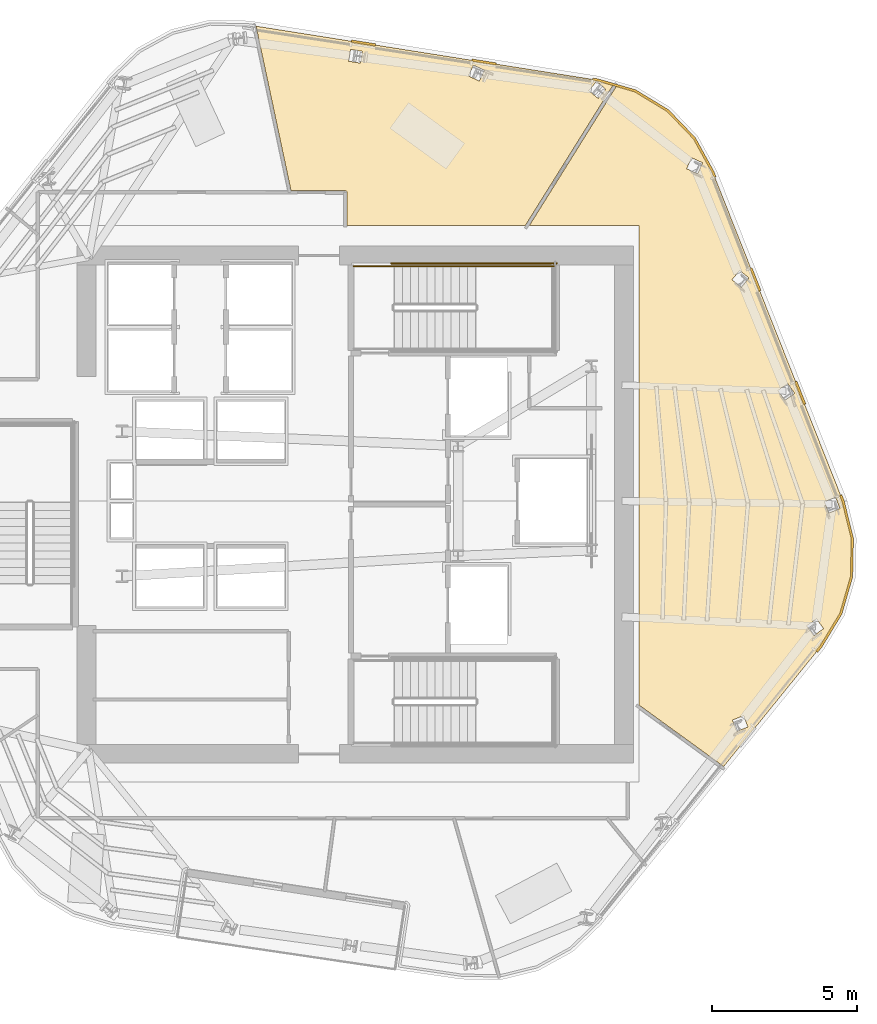
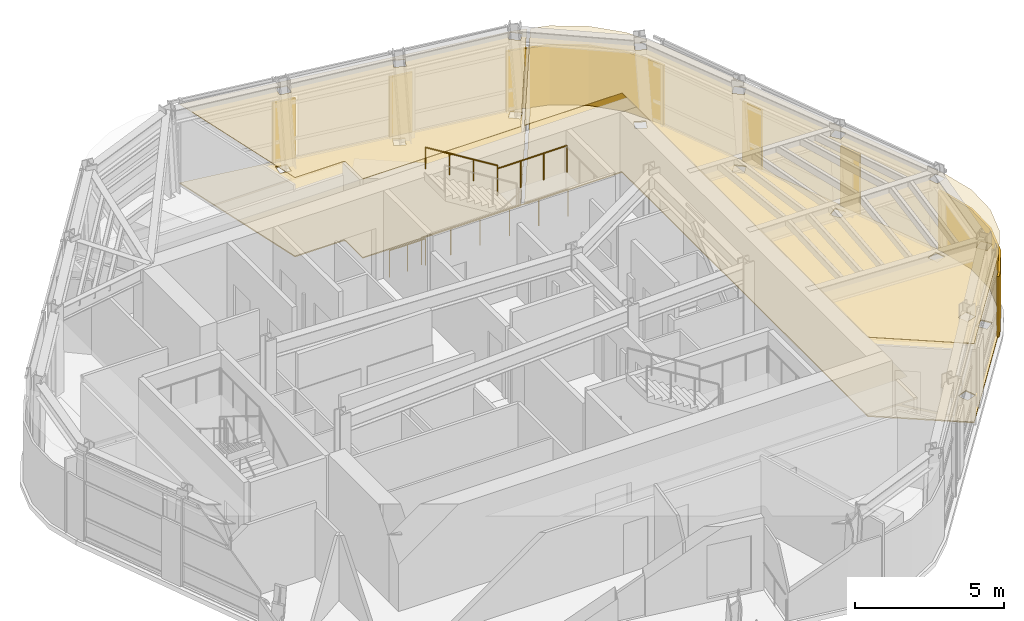
# One storey, part 11 of 12: 10 coverings, 4 railings.
"""IFC4 building model written with IfcOpenShell, lengths in metres."""

from ifc_helpers import new_model, si_unit, direction, frame, origin, origin_2d, place, context, subcontext, project, spatial, polyline, circle, outline, extrude, material, layer, layer_set, type_object, element, save


model = new_model("IFC4")

# Units and contexts
model_context = context("Model", 3, precision=1e-05, world=origin(), true_north=direction((0.0, 1.0)))
body_context = subcontext(model_context, "Body", "Model", "MODEL_VIEW")
ifc_project = project(units=[si_unit("LENGTHUNIT", "METRE"), si_unit("AREAUNIT", "SQUARE_METRE"), si_unit("VOLUMEUNIT", "CUBIC_METRE"), si_unit("PLANEANGLEUNIT", "RADIAN"), si_unit("MASSUNIT", "GRAM", prefix="KILO")], contexts=[model_context])

# Site, building, storey
site_placement = place(None, origin())
site = spatial("IfcSite", under=ifc_project, at=site_placement, CompositionType="ELEMENT")
building_placement = place(site_placement, origin())
building = spatial("IfcBuilding", under=site, at=building_placement, Name="Valkerne Bourse Tower", CompositionType="ELEMENT")
storey_placement = place(building_placement, frame((0.0, 0.0, 243.60009765625)))
storey = spatial("IfcBuildingStorey", under=building, at=storey_placement, Name="L62", CompositionType="ELEMENT", Elevation=243.60009765625)

# Coverings
ifc_material_1 = material(Name="Mineral Fiber Acoustic Ceiling Tile", Category="acoustic")
ifc_layer_1 = layer(ifc_material_1, 0.02490234375)
ifc_layer_set_1 = layer_set([ifc_layer_1], Name="Mineral Fiber Acoustic Ceiling Tile")
covering_type_1 = type_object("IfcCoveringType", Name="COV-CEIL-ACT", PredefinedType="CEILING", material=ifc_layer_set_1)
covering_1_placement = place(storey_placement, frame((0.0, 0.0, 3.25)))
element("IfcCovering", 1, at=covering_1_placement, inside=storey, type_object=covering_type_1, Name="L62 Suspended Ceiling 10", PredefinedType="CEILING", context=body_context, shape_type="SweptSolid", body=[
    extrude(outline(polyline([(52.666748046875, 36.5), (46.51904296875, 36.5), (46.51904296875, 37.640380859375), (46.51220703125, 37.670166015625), (46.49072265625, 37.69580078125), (46.45068359375, 37.708984375), (44.583984375, 37.708984375), (43.3779296875, 43.383056640625), (55.18017578125, 41.51708984375), (55.706298828125, 41.3642578125), (52.666748046875, 36.5)]), holes=[polyline([(55.1259765625, 41.47216796875), (55.123779296875, 41.473388671875), (54.86181640625, 41.155517578125), (55.1806640625, 40.892333984375), (55.1826171875, 40.89111328125), (55.44482421875, 41.208740234375), (55.1259765625, 41.47216796875)]), polyline([(50.881591796875, 42.03662109375), (50.87939453125, 42.037109375), (50.706298828125, 41.663330078125), (51.081787109375, 41.489501953125), (51.083740234375, 41.48876953125), (51.256591796875, 41.862548828125), (50.881591796875, 42.03662109375)]), polyline([(47.047607421875, 42.514404296875), (46.63916015625, 42.57958984375), (46.636962890625, 42.57958984375), (46.572265625, 42.1728515625), (46.980712890625, 42.107666015625), (46.98291015625, 42.107666015625), (47.047607421875, 42.514404296875)])]), origin(), (0.0, 0.0, 1.0), 0.02490234375),
])
covering_2_placement = place(storey_placement, frame((0.0, 0.0, 3.25)))
element("IfcCovering", 2, at=covering_2_placement, inside=storey, type_object=covering_type_1, Name="L62 Suspended Ceiling 12", PredefinedType="CEILING", context=body_context, shape_type="SweptSolid", body=[
    extrude(outline(polyline([(58.498779296875, 39.51025390625), (59.139404296875, 38.34521484375), (63.631591796875, 26.98974609375), (63.948486328125, 25.699462890625), (63.9208984375, 24.380126953125), (63.552978515625, 23.113037109375), (62.864501953125, 21.976318359375), (59.513671875, 17.8359375), (56.60009765625, 19.952880859375), (56.60009765625, 36.5), (52.805908203125, 36.5), (55.823974609375, 41.330078125), (56.456787109375, 41.146240234375), (57.585693359375, 40.462646484375), (58.498779296875, 39.51025390625)]), holes=[polyline([(60.35009765625, 19.200439453125), (60.20166015625, 19.587158203125), (59.8173828125, 19.4404296875), (59.816162109375, 19.438720703125), (59.964599609375, 19.052001953125), (60.348876953125, 19.198486328125), (60.35009765625, 19.200439453125)]), polyline([(62.960205078125, 22.594482421875), (62.71875, 22.930908203125), (62.38427734375, 22.69189453125), (62.383544921875, 22.689453125), (62.625, 22.35302734375), (62.959716796875, 22.59228515625), (62.960205078125, 22.594482421875)]), polyline([(63.52490234375, 26.735595703125), (63.52490234375, 26.738037109375), (63.380859375, 27.123046875), (62.99267578125, 26.978271484375), (62.99267578125, 26.975830078125), (63.13671875, 26.591064453125), (63.52490234375, 26.735595703125)]), polyline([(61.96337890625, 30.71240234375), (61.7265625, 31.04833984375), (61.3876953125, 30.81005859375), (61.38818359375, 30.807861328125), (61.625244140625, 30.4716796875), (61.964111328125, 30.710205078125), (61.96337890625, 30.71240234375)]), polyline([(60.3828125, 34.695556640625), (60.063232421875, 34.95458984375), (59.802001953125, 34.633056640625), (59.802978515625, 34.631103515625), (60.12255859375, 34.372314453125), (60.3837890625, 34.693603515625), (60.3828125, 34.695556640625)]), polyline([(58.7822265625, 38.67138671875), (58.40771484375, 38.8408203125), (58.236328125, 38.46337890625), (58.238037109375, 38.4619140625), (58.612548828125, 38.29248046875), (58.783935546875, 38.66943359375), (58.7822265625, 38.67138671875)])]), origin(), (0.0, 0.0, 1.0), 0.02490234375),
])
ifc_material_2 = material(Name="Bronze Anodised Aluminium AA 6063-T6", Category="aluminium")
ifc_layer_2 = layer(ifc_material_2, 0.06005859375)
ifc_layer_set_2 = layer_set([ifc_layer_2], Name="Bronze Anodised Aluminium AA 6063-T6")
covering_type_2 = type_object("IfcCoveringType", Name="COV-CRN-ALUM", PredefinedType="CLADDING", material=ifc_layer_set_2)
covering_3_placement = place(storey_placement, origin())
element("IfcCovering", 3, at=covering_3_placement, inside=storey, type_object=covering_type_2, Name="L62 Wind-Shaped Corner Aluminium Cladding 08", PredefinedType="CLADDING", context=body_context, shape_type="SweptSolid", body=[
    extrude(outline(polyline([(47.50830078125, 42.774658203125), (47.49609375, 42.695556640625), (46.66650390625, 42.82666015625), (46.6787109375, 42.90576171875), (47.50830078125, 42.774658203125)])), origin(), (0.0, 0.0, 1.0), 2.5),
])
covering_4_placement = place(storey_placement, origin())
element("IfcCovering", 4, at=covering_4_placement, inside=storey, type_object=covering_type_2, Name="L62 Wind-Shaped Corner Aluminium Cladding 09", PredefinedType="CLADDING", context=body_context, shape_type="SweptSolid", body=[
    extrude(outline(polyline([(51.668701171875, 42.116943359375), (51.656494140625, 42.037841796875), (50.826904296875, 42.1689453125), (50.8388671875, 42.248046875), (51.668701171875, 42.116943359375)])), origin(), (0.0, 0.0, 1.0), 2.5),
])
covering_5_placement = place(storey_placement, origin())
element("IfcCovering", 5, at=covering_5_placement, inside=storey, type_object=covering_type_2, Name="L62 Wind-Shaped Corner Aluminium Cladding 10", PredefinedType="CLADDING", context=body_context, shape_type="SweptSolid", body=[
    extrude(outline(polyline([(55.18994140625, 41.560302734375), (56.474853515625, 41.186767578125), (57.61328125, 40.497314453125), (58.53466796875, 39.53662109375), (59.17919921875, 38.364013671875), (59.250244140625, 38.1845703125), (59.17578125, 38.155517578125), (59.106689453125, 38.329833984375), (58.4697265625, 39.48876953125), (57.56298828125, 40.434326171875), (56.4423828125, 41.113037109375), (55.17236328125, 41.48193359375), (54.9873046875, 41.51123046875), (54.99951171875, 41.59033203125), (55.18994140625, 41.560302734375)])), origin(), (0.0, 0.0, 1.0), 2.5),
])
covering_6_placement = place(storey_placement, origin())
element("IfcCovering", 6, at=covering_6_placement, inside=storey, type_object=covering_type_2, Name="L62 Wind-Shaped Corner Aluminium Cladding 11", PredefinedType="CLADDING", context=body_context, shape_type="SweptSolid", body=[
    extrude(outline(polyline([(60.7998046875, 34.267822265625), (60.72509765625, 34.239013671875), (60.416259765625, 35.02001953125), (60.49072265625, 35.049072265625), (60.7998046875, 34.267822265625)])), origin(), (0.0, 0.0, 1.0), 2.5),
])
covering_7_placement = place(storey_placement, origin())
element("IfcCovering", 7, at=covering_7_placement, inside=storey, type_object=covering_type_2, Name="L62 Wind-Shaped Corner Aluminium Cladding 12", PredefinedType="CLADDING", context=body_context, shape_type="SweptSolid", body=[
    extrude(outline(polyline([(62.34912109375, 30.351318359375), (62.274658203125, 30.322021484375), (61.9658203125, 31.103271484375), (62.040283203125, 31.13232421875), (62.34912109375, 30.351318359375)])), origin(), (0.0, 0.0, 1.0), 2.5),
])
covering_8_placement = place(storey_placement, origin())
element("IfcCovering", 8, at=covering_8_placement, inside=storey, type_object=covering_type_2, Name="L62 Wind-Shaped Corner Aluminium Cladding 13", PredefinedType="CLADDING", context=body_context, shape_type="SweptSolid", body=[
    extrude(outline(polyline([(63.673583984375, 27.003173828125), (63.99267578125, 25.7041015625), (63.96484375, 24.373291015625), (63.593505859375, 23.09521484375), (62.900634765625, 21.950927734375), (62.7568359375, 21.7734375), (62.694580078125, 21.823486328125), (62.835205078125, 21.9970703125), (63.519775390625, 23.127685546875), (63.885009765625, 24.385498046875), (63.91259765625, 25.6953125), (63.597412109375, 26.978759765625), (63.51513671875, 27.1865234375), (63.589599609375, 27.215576171875), (63.673583984375, 27.003173828125)])), origin(), (0.0, 0.0, 1.0), 2.5),
])
ifc_material_3 = material(Name="Galvanised Painted Steel", Category="steel")
ifc_layer_3 = layer(ifc_material_3, 0.044921875)
ifc_layer_set_3 = layer_set([ifc_layer_3], Name="Galvanised Painted Steel")
covering_type_3 = type_object("IfcCoveringType", Name="COV-FLR-RAF", PredefinedType="FLOORING", material=ifc_layer_set_3)
covering_9_placement = place(storey_placement, origin())
element("IfcCovering", 9, at=covering_9_placement, inside=storey, type_object=covering_type_3, Name="L62 Floor Finish 10", PredefinedType="FLOORING", context=body_context, shape_type="SweptSolid", body=[
    extrude(outline(polyline([(52.666748046875, 36.5), (46.51904296875, 36.5), (46.51904296875, 37.640380859375), (46.51220703125, 37.670166015625), (46.49072265625, 37.69580078125), (46.45068359375, 37.708984375), (44.583984375, 37.708984375), (43.3779296875, 43.383056640625), (55.18017578125, 41.51708984375), (55.706298828125, 41.3642578125), (52.666748046875, 36.5)]), holes=[polyline([(55.1259765625, 41.47216796875), (55.123779296875, 41.473388671875), (54.86181640625, 41.155517578125), (55.1806640625, 40.892333984375), (55.1826171875, 40.89111328125), (55.44482421875, 41.208740234375), (55.1259765625, 41.47216796875)]), polyline([(50.881591796875, 42.03662109375), (50.87939453125, 42.037109375), (50.706298828125, 41.663330078125), (51.081787109375, 41.489501953125), (51.083740234375, 41.48876953125), (51.256591796875, 41.862548828125), (50.881591796875, 42.03662109375)]), polyline([(47.047607421875, 42.514404296875), (46.63916015625, 42.57958984375), (46.636962890625, 42.57958984375), (46.572265625, 42.1728515625), (46.980712890625, 42.107666015625), (46.98291015625, 42.107666015625), (47.047607421875, 42.514404296875)])]), origin(), (0.0, 0.0, 1.0), 0.044921875),
])
covering_10_placement = place(storey_placement, origin())
element("IfcCovering", 10, at=covering_10_placement, inside=storey, type_object=covering_type_3, Name="L62 Floor Finish 12", PredefinedType="FLOORING", context=body_context, shape_type="SweptSolid", body=[
    extrude(outline(polyline([(58.498779296875, 39.51025390625), (59.139404296875, 38.34521484375), (63.631591796875, 26.98974609375), (63.948486328125, 25.699462890625), (63.9208984375, 24.380126953125), (63.552978515625, 23.113037109375), (62.864501953125, 21.976318359375), (59.513671875, 17.8359375), (56.60009765625, 19.952880859375), (56.60009765625, 36.5), (52.805908203125, 36.5), (55.823974609375, 41.330078125), (56.456787109375, 41.146240234375), (57.585693359375, 40.462646484375), (58.498779296875, 39.51025390625)]), holes=[polyline([(60.35009765625, 19.200439453125), (60.20166015625, 19.587158203125), (59.8173828125, 19.4404296875), (59.816162109375, 19.438720703125), (59.964599609375, 19.052001953125), (60.348876953125, 19.198486328125), (60.35009765625, 19.200439453125)]), polyline([(62.960205078125, 22.594482421875), (62.71875, 22.930908203125), (62.38427734375, 22.69189453125), (62.383544921875, 22.689453125), (62.625, 22.35302734375), (62.959716796875, 22.59228515625), (62.960205078125, 22.594482421875)]), polyline([(63.52490234375, 26.735595703125), (63.52490234375, 26.738037109375), (63.380859375, 27.123046875), (62.99267578125, 26.978271484375), (62.99267578125, 26.975830078125), (63.13671875, 26.591064453125), (63.52490234375, 26.735595703125)]), polyline([(61.96337890625, 30.71240234375), (61.7265625, 31.04833984375), (61.3876953125, 30.81005859375), (61.38818359375, 30.807861328125), (61.625244140625, 30.4716796875), (61.964111328125, 30.710205078125), (61.96337890625, 30.71240234375)]), polyline([(60.3828125, 34.695556640625), (60.063232421875, 34.95458984375), (59.802001953125, 34.633056640625), (59.802978515625, 34.631103515625), (60.12255859375, 34.372314453125), (60.3837890625, 34.693603515625), (60.3828125, 34.695556640625)]), polyline([(58.7822265625, 38.67138671875), (58.40771484375, 38.8408203125), (58.236328125, 38.46337890625), (58.238037109375, 38.4619140625), (58.612548828125, 38.29248046875), (58.783935546875, 38.66943359375), (58.7822265625, 38.67138671875)])]), origin(), (0.0, 0.0, 1.0), 0.044921875),
])

# Railings
railing_type_1 = type_object("IfcRailingType", Name="RLG-ST-GUARD-1120", PredefinedType="GUARDRAIL", material=ifc_material_3)
railing_1_placement = place(storey_placement, frame((50.949951171875, 35.10009765625, 1.89990234375)))
element("IfcRailing", 11, at=railing_1_placement, inside=storey, type_object=railing_type_1, Name="L62 ST-2 stair guard 4", PredefinedType="GUARDRAIL", context=body_context, shape_type="SweptSolid", body=[
    extrude(circle(Radius=0.02392578125, at=origin_2d()), frame((0.0, 0.0, 1.09619140625), z_axis=(1.0, 0.0, 0.0), x_axis=(0.0, 1.0, 0.0)), (0.0, 0.0, 1.0), 2.699951171875),
    extrude(circle(Radius=0.02099609375, at=origin_2d()), origin(), (0.0, 0.0, 1.0), 1.072021484375),
    extrude(circle(Radius=0.02099609375, at=origin_2d()), frame((0.89990234375, 0.0, 0.0)), (0.0, 0.0, 1.0), 1.072021484375),
    extrude(circle(Radius=0.02099609375, at=origin_2d()), frame((1.800048828125, 0.0, 0.0)), (0.0, 0.0, 1.0), 1.072021484375),
    extrude(circle(Radius=0.02099609375, at=origin_2d()), frame((2.699951171875, 0.0, 0.0)), (0.0, 0.0, 1.0), 1.072021484375),
])
railing_2_placement = place(storey_placement, frame((46.75, 35.10009765625, 0.0)))
element("IfcRailing", 12, at=railing_2_placement, inside=storey, type_object=railing_type_1, Name="L62 ST-2 stair guard 9", PredefinedType="GUARDRAIL", context=body_context, shape_type="SweptSolid", body=[
    extrude(circle(Radius=0.02392578125, at=origin_2d()), frame((0.0, 0.0, 1.09619140625), z_axis=(1.0, 0.0, 0.0), x_axis=(0.0, 1.0, 0.0)), (0.0, 0.0, 1.0), 1.39990234375),
    extrude(circle(Radius=0.02099609375, at=origin_2d()), origin(), (0.0, 0.0, 1.0), 1.072021484375),
    extrude(circle(Radius=0.02099609375, at=origin_2d()), frame((0.699951171875, 0.0, 0.0)), (0.0, 0.0, 1.0), 1.072021484375),
    extrude(circle(Radius=0.02099609375, at=origin_2d()), frame((1.39990234375, 0.0, 0.0)), (0.0, 0.0, 1.0), 1.072021484375),
])
railing_3_placement = place(storey_placement, frame((48.050048828125, 35.199951171875, 0.0)))
element("IfcRailing", 13, at=railing_3_placement, inside=storey, type_object=railing_type_1, Name="L62 ST-2 stair guard 11", PredefinedType="GUARDRAIL", context=body_context, shape_type="SweptSolid", body=[
    extrude(circle(Radius=0.02392578125, at=origin_2d()), frame((0.0, 0.0, 1.09619140625), z_axis=(1.0, 0.0, 0.0), x_axis=(0.0, 1.0, 0.0)), (0.0, 0.0, 1.0), 5.699951171875),
    extrude(circle(Radius=0.02099609375, at=origin_2d()), origin(), (0.0, 0.0, 1.0), 1.072021484375),
    extrude(circle(Radius=0.02099609375, at=origin_2d()), frame((1.139892578125, 0.0, 0.0)), (0.0, 0.0, 1.0), 1.072021484375),
    extrude(circle(Radius=0.02099609375, at=origin_2d()), frame((2.280029296875, 0.0, 0.0)), (0.0, 0.0, 1.0), 1.072021484375),
    extrude(circle(Radius=0.02099609375, at=origin_2d()), frame((3.419921875, 0.0, 0.0)), (0.0, 0.0, 1.0), 1.072021484375),
    extrude(circle(Radius=0.02099609375, at=origin_2d()), frame((4.56005859375, 0.0, 0.0)), (0.0, 0.0, 1.0), 1.072021484375),
    extrude(circle(Radius=0.02099609375, at=origin_2d()), frame((5.699951171875, 0.0, 0.0)), (0.0, 0.0, 1.0), 1.072021484375),
])
ifc_material_4 = material(Name="Stainless Steel AISI 316", Category="steel")
railing_type_2 = type_object("IfcRailingType", Name="RLG-ST-HANDRAIL-900", PredefinedType="HANDRAIL", material=ifc_material_4)
railing_4_placement = place(storey_placement, frame((50.949951171875, 35.10009765625, 2.245361328125)))
element("IfcRailing", 14, at=railing_4_placement, inside=storey, type_object=railing_type_2, Name="L62 ST-2 stair handrail 2", PredefinedType="HANDRAIL", context=body_context, shape_type="SweptSolid", body=[
    extrude(circle(Radius=0.02392578125, at=origin_2d()), frame((0.0, 0.0, 0.8759765625), z_axis=(-0.851089632645, 0.0, 0.525020415988), x_axis=(0.0, -1.0, 0.0)), (0.0, 0.0, 1.0), 3.2900390625),
    extrude(circle(Radius=0.02099609375, at=origin_2d()), origin(), (0.0, 0.0, 1.0), 0.851806640625),
    extrude(circle(Radius=0.02099609375, at=origin_2d()), frame((-0.933349609375, 0.0, 0.57568359375)), (0.0, 0.0, 1.0), 0.851806640625),
    extrude(circle(Radius=0.02099609375, at=origin_2d()), frame((-1.86669921875, 0.0, 1.151611328125)), (0.0, 0.0, 1.0), 0.851806640625),
    extrude(circle(Radius=0.02099609375, at=origin_2d()), frame((-2.800048828125, 0.0, 1.727294921875)), (0.0, 0.0, 1.0), 0.851806640625),
])

save(model, "model.ifc")
